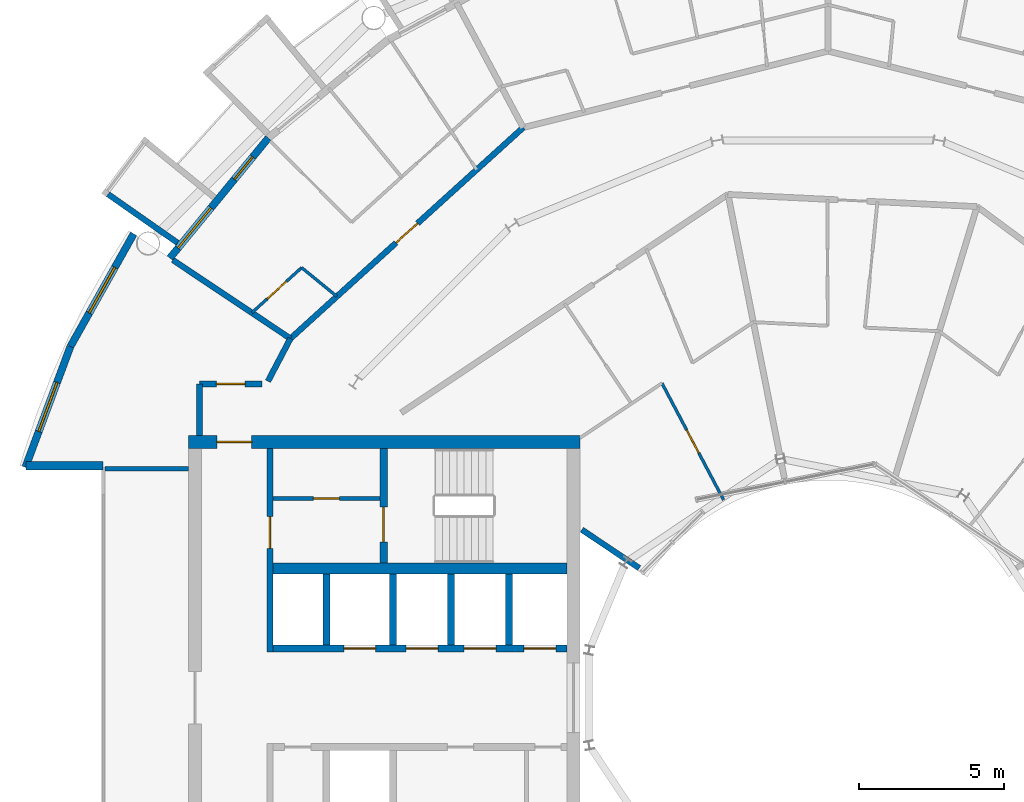
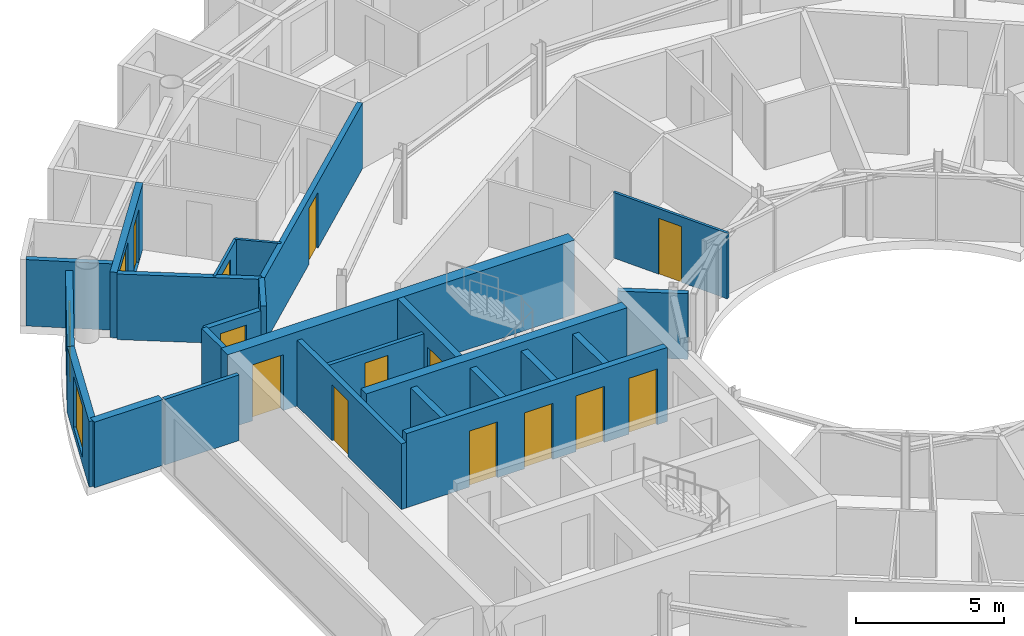
# One storey, part 20 of 29: 25 walls, 13 doors, 3 windows, 16 openings.
"""IFC4 building model written with IfcOpenShell, lengths in metres."""

from ifc_helpers import new_model, si_unit, direction, frame, frame_2d, origin, place, context, subcontext, project, spatial, rectangle, extrude, material, layer, layer_set, type_object, element, fill, save


model = new_model("IFC4")

# Units and contexts
model_context = context("Model", 3, precision=1e-05, world=origin(), true_north=direction((0.0, 1.0)))
body_context = subcontext(model_context, "Body", "Model", "MODEL_VIEW")
ifc_project = project(units=[si_unit("LENGTHUNIT", "METRE"), si_unit("AREAUNIT", "SQUARE_METRE"), si_unit("VOLUMEUNIT", "CUBIC_METRE"), si_unit("PLANEANGLEUNIT", "RADIAN"), si_unit("MASSUNIT", "GRAM", prefix="KILO")], contexts=[model_context])

# Site, building, storey
site_placement = place(None, origin())
site = spatial("IfcSite", under=ifc_project, at=site_placement, CompositionType="ELEMENT")
building_placement = place(site_placement, origin())
building = spatial("IfcBuilding", under=site, at=building_placement, Name="Maasbend Ring Residences", CompositionType="ELEMENT")
storey_placement = place(building_placement, frame((0.0, 0.0, 193.25)))
storey = spatial("IfcBuildingStorey", under=building, at=storey_placement, Name="L55", CompositionType="ELEMENT", Elevation=193.25)

# Wall, openings, doors
ifc_material_1 = material(Name="Concrete C50/60", Category="concrete")
ifc_layer_1 = layer(ifc_material_1, 0.25)
ifc_layer_set_1 = layer_set([ifc_layer_1], Name="Concrete C50/60")
wall_type_1 = type_object("IfcWallType", Name="CORE WALL 250 C50/60", PredefinedType="SHEAR", material=ifc_layer_set_1)
wall_1_placement = place(storey_placement, frame((-9.0, 1.699951171875, 0.0), z_axis=(0.0, 0.0, 1.0), x_axis=(-1.0, 0.0, 0.0)))
wall_1 = element("IfcWall", 1, at=wall_1_placement, inside=storey, type_object=wall_type_1, Name="L55 core W wall SPS", PredefinedType="SHEAR", context=body_context, shape_type="SweptSolid", body=[
    extrude(rectangle(XDim=10.14990234375, YDim=0.25, at=frame_2d((5.074951171875, 0.0))), origin(), (0.0, 0.0, 1.0), 3.050048828125),
])
opening_1_placement = place(wall_1_placement, frame((0.387451171875, 0.0, 0.0)))
opening_1 = element("IfcOpeningElement", 2, at=opening_1_placement, cuts=wall_1, Name="Opening LD-W5502", PredefinedType="OPENING", context=body_context, shape_type="SweptSolid", body=[
    extrude(rectangle(XDim=1.10009765625, YDim=2.300048828125, at=frame_2d((0.550048828125, 1.14990234375))), frame((0.0, 0.135009765625, 0.0), z_axis=(0.0, -1.0, 0.0), x_axis=(1.0, 0.0, 0.0)), (0.0, 0.0, 1.0), 0.27001953125),
])
opening_2_placement = place(wall_1_placement, frame((2.449951171875, 0.0, 0.0)))
opening_2 = element("IfcOpeningElement", 3, at=opening_2_placement, cuts=wall_1, Name="Opening LD-W5503", PredefinedType="OPENING", context=body_context, shape_type="SweptSolid", body=[
    extrude(rectangle(XDim=1.10009765625, YDim=2.300048828125, at=frame_2d((0.550048828125, 1.14990234375))), frame((0.0, 0.135009765625, 0.0), z_axis=(0.0, -1.0, 0.0), x_axis=(1.0, 0.0, 0.0)), (0.0, 0.0, 1.0), 0.27001953125),
])
opening_3_placement = place(wall_1_placement, frame((4.449951171875, 0.0, 0.0)))
opening_3 = element("IfcOpeningElement", 4, at=opening_3_placement, cuts=wall_1, Name="Opening LD-W5504", PredefinedType="OPENING", context=body_context, shape_type="SweptSolid", body=[
    extrude(rectangle(XDim=1.10009765625, YDim=2.300048828125, at=frame_2d((0.550048828125, 1.14990234375))), frame((0.0, 0.135009765625, 0.0), z_axis=(0.0, -1.0, 0.0), x_axis=(1.0, 0.0, 0.0)), (0.0, 0.0, 1.0), 0.27001953125),
])
opening_4_placement = place(wall_1_placement, frame((6.60009765625, 0.0, 0.0)))
opening_4 = element("IfcOpeningElement", 5, at=opening_4_placement, cuts=wall_1, Name="Opening LD-W5505", PredefinedType="OPENING", context=body_context, shape_type="SweptSolid", body=[
    extrude(rectangle(XDim=1.10009765625, YDim=2.300048828125, at=frame_2d((0.550048828125, 1.14990234375))), frame((0.0, 0.135009765625, 0.0), z_axis=(0.0, -1.0, 0.0), x_axis=(1.0, 0.0, 0.0)), (0.0, 0.0, 1.0), 0.27001953125),
])
ifc_material_2 = material(Name="Stainless steel 316", Category="steel")
door_type_1 = type_object("IfcDoorType", Name="LANDING DOOR 1100 X 2300 FD60", OperationType="DOUBLE_DOOR_SLIDING", PredefinedType="DOOR", material=ifc_material_2)
door_1_placement = place(opening_1_placement, origin())
door_1 = element("IfcDoor", 6, at=door_1_placement, inside=storey, type_object=door_type_1, Name="Landing door HR-W1 L55", OperationType="DOUBLE_DOOR_SLIDING", OverallHeight=2.300048828125, OverallWidth=1.10009765625, PredefinedType="DOOR", context=body_context, shape_type="SweptSolid", body=[
    extrude(rectangle(XDim=1.10009765625, YDim=2.300048828125, at=frame_2d((0.550048828125, 1.14990234375))), frame((0.0, 0.02490234375, 0.0), z_axis=(0.0, -1.0, 0.0), x_axis=(1.0, 0.0, 0.0)), (0.0, 0.0, 1.0), 0.050048828125),
])
fill(opening_1, door_1)
door_2_placement = place(opening_2_placement, origin())
door_2 = element("IfcDoor", 7, at=door_2_placement, inside=storey, type_object=door_type_1, Name="Landing door HR-W2 L55", OperationType="DOUBLE_DOOR_SLIDING", OverallHeight=2.300048828125, OverallWidth=1.10009765625, PredefinedType="DOOR", context=body_context, shape_type="SweptSolid", body=[
    extrude(rectangle(XDim=1.10009765625, YDim=2.300048828125, at=frame_2d((0.550048828125, 1.14990234375))), frame((0.0, 0.02490234375, 0.0), z_axis=(0.0, -1.0, 0.0), x_axis=(1.0, 0.0, 0.0)), (0.0, 0.0, 1.0), 0.050048828125),
])
fill(opening_2, door_2)
door_3_placement = place(opening_3_placement, origin())
door_3 = element("IfcDoor", 8, at=door_3_placement, inside=storey, type_object=door_type_1, Name="Landing door HR-W3 L55", OperationType="DOUBLE_DOOR_SLIDING", OverallHeight=2.300048828125, OverallWidth=1.10009765625, PredefinedType="DOOR", context=body_context, shape_type="SweptSolid", body=[
    extrude(rectangle(XDim=1.10009765625, YDim=2.300048828125, at=frame_2d((0.550048828125, 1.14990234375))), frame((0.0, 0.02490234375, 0.0), z_axis=(0.0, -1.0, 0.0), x_axis=(1.0, 0.0, 0.0)), (0.0, 0.0, 1.0), 0.050048828125),
])
fill(opening_3, door_3)
door_4_placement = place(opening_4_placement, origin())
door_4 = element("IfcDoor", 9, at=door_4_placement, inside=storey, type_object=door_type_1, Name="Landing door SV-W L55", OperationType="DOUBLE_DOOR_SLIDING", OverallHeight=2.300048828125, OverallWidth=1.10009765625, PredefinedType="DOOR", context=body_context, shape_type="SweptSolid", body=[
    extrude(rectangle(XDim=1.10009765625, YDim=2.300048828125, at=frame_2d((0.550048828125, 1.14990234375))), frame((0.0, 0.02490234375, 0.0), z_axis=(0.0, -1.0, 0.0), x_axis=(1.0, 0.0, 0.0)), (0.0, 0.0, 1.0), 0.050048828125),
])
fill(opening_4, door_4)

# Wall, opening, door
wall_2_placement = place(storey_placement, frame((-15.324951171875, 8.60009765625, 0.0), z_axis=(0.0, 0.0, 1.0), x_axis=(0.0, -1.0, 0.0)))
wall_2 = element("IfcWall", 10, at=wall_2_placement, inside=storey, type_object=wall_type_1, Name="L55 core W wall STES", PredefinedType="SHEAR", context=body_context, shape_type="SweptSolid", body=[
    extrude(rectangle(XDim=3.9501953125, YDim=0.25, at=frame_2d((1.97509765625, 0.0))), origin(), (0.0, 0.0, 1.0), 3.050048828125),
])
opening_5_placement = place(wall_2_placement, frame((2.02490234375, 0.0, 0.0)))
opening_5 = element("IfcOpeningElement", 11, at=opening_5_placement, cuts=wall_2, Name="Opening D-W5511", PredefinedType="OPENING", context=body_context, shape_type="SweptSolid", body=[
    extrude(rectangle(XDim=1.199951171875, YDim=2.300048828125, at=frame_2d((0.60009765625, 1.14990234375))), frame((0.0, 0.135009765625, 0.0), z_axis=(0.0, -1.0, 0.0), x_axis=(1.0, 0.0, 0.0)), (0.0, 0.0, 1.0), 0.27001953125),
])
ifc_material_3 = material(Name="Steel, powder coated", Category="steel")
door_type_2 = type_object("IfcDoorType", Name="STAIR DOOR 1200 X 2300 FD60", OperationType="NOTDEFINED", PredefinedType="DOOR", material=ifc_material_3)
door_5_placement = place(opening_5_placement, origin())
door_5 = element("IfcDoor", 12, at=door_5_placement, inside=storey, type_object=door_type_2, Name="Stair door ST-W L55", OperationType="SINGLE_SWING_LEFT", OverallHeight=2.300048828125, OverallWidth=1.199951171875, PredefinedType="DOOR", context=body_context, shape_type="SweptSolid", body=[
    extrude(rectangle(XDim=1.199951171875, YDim=2.300048828125, at=frame_2d((0.60009765625, 1.14990234375))), frame((0.0, 0.02490234375, 0.0), z_axis=(0.0, -1.0, 0.0), x_axis=(1.0, 0.0, 0.0)), (0.0, 0.0, 1.0), 0.050048828125),
])
fill(opening_5, door_5)

# Wall
ifc_material_4 = material(Name="Concrete C50/60", Category="concrete")
ifc_layer_2 = layer(ifc_material_4, 0.375)
ifc_layer_set_2 = layer_set([ifc_layer_2], Name="Concrete C50/60")
wall_type_2 = type_object("IfcWallType", Name="CORE WALL 375 C50/60", PredefinedType="SHEAR", material=ifc_layer_set_2)
wall_3_placement = place(storey_placement, frame((-9.0, 4.46240234375, 0.0), z_axis=(0.0, 0.0, 1.0), x_axis=(-1.0, 0.0, 0.0)))
element("IfcWall", 13, at=wall_3_placement, inside=storey, type_object=wall_type_2, Name="L55 core W wall BS", PredefinedType="SHEAR", context=body_context, shape_type="SweptSolid", body=[
    extrude(rectangle(XDim=10.14990234375, YDim=0.375, at=frame_2d((5.074951171875, 0.0))), origin(), (0.0, 0.0, 1.0), 3.050048828125),
])

# Wall, opening, door
ifc_material_5 = material(Name="Concrete C50/60", Category="concrete")
ifc_layer_3 = layer(ifc_material_5, 0.449951171875)
ifc_layer_set_3 = layer_set([ifc_layer_3], Name="Concrete C50/60")
wall_type_3 = type_object("IfcWallType", Name="CORE WALL 450 C50/60", PredefinedType="SHEAR", material=ifc_layer_set_3)
wall_4_placement = place(storey_placement, frame((-8.550048828125, 8.824951171875, 0.0), z_axis=(0.0, 0.0, 1.0), x_axis=(-1.0, 0.0, 0.0)))
wall_4 = element("IfcWall", 14, at=wall_4_placement, inside=storey, type_object=wall_type_3, Name="L55 core W wall PS", PredefinedType="SHEAR", context=body_context, shape_type="SweptSolid", body=[
    extrude(rectangle(XDim=13.5, YDim=0.449951171875, at=frame_2d((6.75, 0.0))), origin(), (0.0, 0.0, 1.0), 3.050048828125),
])
opening_6_placement = place(wall_4_placement, frame((11.324951171875, 0.0, 0.0)))
opening_6 = element("IfcOpeningElement", 15, at=opening_6_placement, cuts=wall_4, Name="Opening D-W5515", PredefinedType="OPENING", context=body_context, shape_type="SweptSolid", body=[
    extrude(rectangle(XDim=1.199951171875, YDim=2.300048828125, at=frame_2d((0.60009765625, 1.14990234375))), frame((0.0, 0.23486328125, 0.0), z_axis=(0.0, -1.0, 0.0), x_axis=(1.0, 0.0, 0.0)), (0.0, 0.0, 1.0), 0.469970703125),
])
ifc_material_6 = material(Name="Steel, powder coated", Category="steel")
door_type_3 = type_object("IfcDoorType", Name="CORRIDOR DOOR 1200 X 2300 FD30S", OperationType="NOTDEFINED", PredefinedType="DOOR", material=ifc_material_6)
door_6_placement = place(opening_6_placement, origin())
door_6 = element("IfcDoor", 16, at=door_6_placement, inside=storey, type_object=door_type_3, Name="Corridor door L55", OperationType="SINGLE_SWING_LEFT", OverallHeight=2.300048828125, OverallWidth=1.199951171875, PredefinedType="DOOR", context=body_context, shape_type="SweptSolid", body=[
    extrude(rectangle(XDim=1.199951171875, YDim=2.300048828125, at=frame_2d((0.60009765625, 1.14990234375))), frame((0.0, 0.02490234375, 0.0), z_axis=(0.0, -1.0, 0.0), x_axis=(1.0, 0.0, 0.0)), (0.0, 0.0, 1.0), 0.050048828125),
])
fill(opening_6, door_6)

ifc_material_7 = material(Name="Concrete C30/37", Category="concrete")
ifc_layer_4 = layer(ifc_material_7, 0.199951171875)
ifc_layer_set_4 = layer_set([ifc_layer_4], Name="Concrete C30/37")
wall_type_4 = type_object("IfcWallType", Name="CORRIDOR WALL 200 CONCRETE", PredefinedType="PARTITIONING", material=ifc_layer_set_4)
wall_5_placement = place(storey_placement, frame((-21.675048828125, 10.824951171875, 0.0), z_axis=(0.0, 0.0, 1.0), x_axis=(1.0, 0.0, 0.0)))
wall_5 = element("IfcWall", 17, at=wall_5_placement, inside=storey, type_object=wall_type_4, Name="U-L55-w093", PredefinedType="PARTITIONING", context=body_context, shape_type="SweptSolid", body=[
    extrude(rectangle(XDim=2.152099609375, YDim=0.199951171875, at=frame_2d((1.076171875, 0.0))), origin(), (0.0, 0.0, 1.0), 2.699951171875),
])
opening_7_placement = place(wall_5_placement, frame((0.575927734375, 0.0, 0.0)))
opening_7 = element("IfcOpeningElement", 18, at=opening_7_placement, cuts=wall_5, Name="Opening D-5572", PredefinedType="OPENING", context=body_context, shape_type="SweptSolid", body=[
    extrude(rectangle(XDim=1.0, YDim=2.300048828125, at=frame_2d((0.5, 1.14990234375))), frame((0.0, 0.10986328125, 0.0), z_axis=(0.0, -1.0, 0.0), x_axis=(1.0, 0.0, 0.0)), (0.0, 0.0, 1.0), 0.219970703125),
])
ifc_material_8 = material(Name="Timber, painted", Category="wood")
door_type_4 = type_object("IfcDoorType", Name="ROOM DOOR 1000 X 2300", OperationType="NOTDEFINED", PredefinedType="DOOR", material=ifc_material_8)
door_7_placement = place(opening_7_placement, origin())
door_7 = element("IfcDoor", 19, at=door_7_placement, inside=storey, type_object=door_type_4, Name="D-5572", OperationType="SINGLE_SWING_LEFT", OverallHeight=2.300048828125, OverallWidth=1.0, PredefinedType="DOOR", context=body_context, shape_type="SweptSolid", body=[
    extrude(rectangle(XDim=1.0, YDim=2.300048828125, at=frame_2d((0.5, 1.14990234375))), frame((0.0, 0.02490234375, 0.0), z_axis=(0.0, -1.0, 0.0), x_axis=(1.0, 0.0, 0.0)), (0.0, 0.0, 1.0), 0.050048828125),
])
fill(opening_7, door_7)

wall_6_placement = place(storey_placement, frame((-18.54296875, 12.385986328125, 0.0), z_axis=(0.0, 0.0, 1.0), x_axis=(0.740853508928, 0.671666642248, 0.0)))
wall_6 = element("IfcWall", 20, at=wall_6_placement, inside=storey, type_object=wall_type_4, Name="U-L55-w104", PredefinedType="PARTITIONING", context=body_context, shape_type="SweptSolid", body=[
    extrude(rectangle(XDim=10.840087890625, YDim=0.199951171875, at=frame_2d((5.419921875, 0.0))), origin(), (0.0, 0.0, 1.0), 2.699951171875),
])
opening_8_placement = place(wall_6_placement, frame((4.9208984375, 0.0, 0.0)))
opening_8 = element("IfcOpeningElement", 21, at=opening_8_placement, cuts=wall_6, Name="Opening D-5519", PredefinedType="OPENING", context=body_context, shape_type="SweptSolid", body=[
    extrude(rectangle(XDim=1.0, YDim=2.300048828125, at=frame_2d((0.5, 1.14990234375))), frame((0.0, 0.10986328125, 0.0), z_axis=(0.0, -1.0, 0.0), x_axis=(1.0, 0.0, 0.0)), (0.0, 0.0, 1.0), 0.219970703125),
])
ifc_material_9 = material(Name="Timber, fire-rated, painted", Category="wood")
door_type_5 = type_object("IfcDoorType", Name="FLAT ENTRANCE DOOR 1000 X 2300 FIRE-RATED", OperationType="NOTDEFINED", PredefinedType="DOOR", material=ifc_material_9)
door_8_placement = place(opening_8_placement, origin())
door_8 = element("IfcDoor", 22, at=door_8_placement, inside=storey, type_object=door_type_5, Name="D-5519", OperationType="SINGLE_SWING_RIGHT", OverallHeight=2.300048828125, OverallWidth=1.0, PredefinedType="DOOR", context=body_context, shape_type="SweptSolid", body=[
    extrude(rectangle(XDim=1.0, YDim=2.300048828125, at=frame_2d((0.5, 1.14990234375))), frame((0.0, 0.02490234375, 0.0), z_axis=(0.0, -1.0, 0.0), x_axis=(1.0, 0.0, 0.0)), (0.0, 0.0, 1.0), 0.050048828125),
])
fill(opening_8, door_8)

# Walls
wall_7_placement = place(storey_placement, frame((-21.675048828125, 9.050048828125, 0.0), z_axis=(0.0, 0.0, 1.0), x_axis=(0.0, 1.0, 0.0)))
element("IfcWall", 23, at=wall_7_placement, inside=storey, type_object=wall_type_4, Name="U-L55-w109", PredefinedType="PARTITIONING", context=body_context, shape_type="SweptSolid", body=[
    extrude(rectangle(XDim=1.77490234375, YDim=0.199951171875, at=frame_2d((0.887451171875, 0.0))), origin(), (0.0, 0.0, 1.0), 2.699951171875),
])
wall_8_placement = place(storey_placement, frame((-19.31689453125, 10.9150390625, 0.0), z_axis=(0.0, 0.0, 1.0), x_axis=(0.465359652486, 0.885121683068, 0.0)))
element("IfcWall", 24, at=wall_8_placement, inside=storey, type_object=wall_type_4, Name="U-L55-w110", PredefinedType="PARTITIONING", context=body_context, shape_type="SweptSolid", body=[
    extrude(rectangle(XDim=1.665283203125, YDim=0.199951171875, at=frame_2d((0.83251953125, 0.0))), origin(), (0.0, 0.0, 1.0), 2.699951171875),
])
ifc_material_10 = material(Name="Pale anodised aluminium panel", Category="aluminium")
ifc_layer_5 = layer(ifc_material_10, 0.199951171875)
ifc_layer_set_5 = layer_set([ifc_layer_5], Name="EW-BOX")
wall_type_5 = type_object("IfcWallType", Name="EW-BOX", PredefinedType="SOLIDWALL", material=ifc_layer_set_5)
wall_9_placement = place(storey_placement, frame((-22.43310546875, 15.68798828125, -0.030029296875), z_axis=(0.0, 0.0, 1.0), x_axis=(-0.819373043115, 0.573260687834, 0.0)))
element("IfcWall", 25, at=wall_9_placement, inside=storey, type_object=wall_type_5, Name="Box side wall N20 right", PredefinedType="SOLIDWALL", context=body_context, shape_type="SweptSolid", body=[
    extrude(rectangle(XDim=2.92529296875, YDim=0.199951171875, at=frame_2d((1.462646484375, 0.0))), origin(), (0.0, 0.0, 1.0), 2.72998046875),
])

# Wall, openings, door, window
ifc_material_11 = material(Name="Aluminium clad insulated panel", Category="aluminium")
ifc_layer_6 = layer(ifc_material_11, 0.25)
ifc_layer_set_6 = layer_set([ifc_layer_6], Name="EW-GL")
wall_type_6 = type_object("IfcWallType", Name="EW-GL", PredefinedType="SOLIDWALL", material=ifc_layer_set_6)
wall_10_placement = place(storey_placement, frame((-19.303955078125, 19.303955078125, 0.0), z_axis=(0.0, 0.0, 1.0), x_axis=(-0.634382322723, -0.773019449054, 0.0)))
wall_10 = element("IfcWall", 26, at=wall_10_placement, inside=storey, type_object=wall_type_6, Name="External wall N10", PredefinedType="SOLIDWALL", context=body_context, shape_type="SweptSolid", body=[
    extrude(rectangle(XDim=5.351806640625, YDim=0.25, at=frame_2d((2.67578125, 0.0))), origin(), (0.0, 0.0, 1.0), 2.699951171875),
])
opening_9_placement = place(wall_10_placement, frame((0.841064453125, 0.0, 0.0)))
opening_9 = element("IfcOpeningElement", 27, at=opening_9_placement, cuts=wall_10, Name="Opening D-LG", PredefinedType="OPENING", context=body_context, shape_type="SweptSolid", body=[
    extrude(rectangle(XDim=1.0, YDim=2.199951171875, at=frame_2d((0.5, 1.10009765625))), frame((0.0, 0.135009765625, 0.0), z_axis=(0.0, -1.0, 0.0), x_axis=(1.0, 0.0, 0.0)), (0.0, 0.0, 1.0), 0.27001953125),
])
opening_10_placement = place(wall_10_placement, frame((3.110595703125, 0.0, 0.300048828125)))
opening_10 = element("IfcOpeningElement", 28, at=opening_10_placement, cuts=wall_10, Name="Opening W-BX", PredefinedType="OPENING", context=body_context, shape_type="SweptSolid", body=[
    extrude(rectangle(XDim=1.800048828125, YDim=2.10009765625, at=frame_2d((0.89990234375, 1.050048828125))), frame((0.0, 0.135009765625, 0.0), z_axis=(0.0, -1.0, 0.0), x_axis=(1.0, 0.0, 0.0)), (0.0, 0.0, 1.0), 0.27001953125),
])
ifc_material_12 = material(Name="Aluminium and clear glass", Category="aluminium")
door_type_6 = type_object("IfcDoorType", Name="D-LG", OperationType="SINGLE_SWING_LEFT", PredefinedType="DOOR", material=ifc_material_12)
door_9_placement = place(opening_9_placement, origin())
door_9 = element("IfcDoor", 29, at=door_9_placement, inside=storey, type_object=door_type_6, Name="Loggia door N19", OperationType="SINGLE_SWING_LEFT", OverallHeight=2.199951171875, OverallWidth=1.0, PredefinedType="DOOR", context=body_context, shape_type="SweptSolid", body=[
    extrude(rectangle(XDim=1.0, YDim=2.199951171875, at=frame_2d((0.5, 1.10009765625))), frame((0.0, 0.02490234375, 0.0), z_axis=(0.0, -1.0, 0.0), x_axis=(1.0, 0.0, 0.0)), (0.0, 0.0, 1.0), 0.050048828125),
])
fill(opening_9, door_9)
ifc_material_13 = material(Name="Aluminium and clear glass", Category="aluminium")
window_type = type_object("IfcWindowType", Name="W-BX", PartitioningType="DOUBLE_PANEL_VERTICAL", PredefinedType="WINDOW", material=ifc_material_13)
window_1_placement = place(opening_10_placement, origin())
window_1 = element("IfcWindow", 30, at=window_1_placement, inside=storey, type_object=window_type, Name="Window N20 room to box", OverallHeight=2.10009765625, OverallWidth=1.800048828125, PartitioningType="SINGLE_PANEL", PredefinedType="WINDOW", context=body_context, shape_type="SweptSolid", body=[
    extrude(rectangle(XDim=1.800048828125, YDim=2.10009765625, at=frame_2d((0.89990234375, 1.050048828125))), frame((0.0, 0.030029296875, 0.0), z_axis=(0.0, -1.0, 0.0), x_axis=(1.0, 0.0, 0.0)), (0.0, 0.0, 1.0), 0.06005859375),
])
fill(opening_10, window_1)

# Wall, opening, window
ifc_material_14 = material(Name="Aluminium clad insulated panel", Category="aluminium")
ifc_layer_7 = layer(ifc_material_14, 0.25)
ifc_layer_set_7 = layer_set([ifc_layer_7], Name="EW-HORN")
wall_type_7 = type_object("IfcWallType", Name="EW-HORN", PredefinedType="SOLIDWALL", material=ifc_layer_set_7)
wall_11_placement = place(storey_placement, frame((-23.946044921875, 16.0, 0.0), z_axis=(0.0, 0.0, 1.0), x_axis=(-0.489696356642, -0.871893042919, 0.0)))
wall_11 = element("IfcWall", 31, at=wall_11_placement, inside=storey, type_object=wall_type_7, Name="Horn wall 4.1", PredefinedType="SOLIDWALL", context=body_context, shape_type="SweptSolid", body=[
    extrude(rectangle(XDim=4.45361328125, YDim=0.25, at=frame_2d((2.226806640625, 0.0))), origin(), (0.0, 0.0, 1.0), 2.699951171875),
])
opening_11_placement = place(wall_11_placement, frame((1.32666015625, 0.0, 0.300048828125)))
opening_11 = element("IfcOpeningElement", 32, at=opening_11_placement, cuts=wall_11, Name="Opening W-BX", PredefinedType="OPENING", context=body_context, shape_type="SweptSolid", body=[
    extrude(rectangle(XDim=1.800048828125, YDim=2.10009765625, at=frame_2d((0.89990234375, 1.050048828125))), frame((0.0, 0.135009765625, 0.0), z_axis=(0.0, -1.0, 0.0), x_axis=(1.0, 0.0, 0.0)), (0.0, 0.0, 1.0), 0.27001953125),
])
window_2_placement = place(opening_11_placement, origin())
window_2 = element("IfcWindow", 33, at=window_2_placement, inside=storey, type_object=window_type, Name="Horn window 4.1", OverallHeight=2.10009765625, OverallWidth=1.800048828125, PartitioningType="SINGLE_PANEL", PredefinedType="WINDOW", context=body_context, shape_type="SweptSolid", body=[
    extrude(rectangle(XDim=1.800048828125, YDim=2.10009765625, at=frame_2d((0.89990234375, 1.050048828125))), frame((0.0, 0.030029296875, 0.0), z_axis=(0.0, -1.0, 0.0), x_axis=(1.0, 0.0, 0.0)), (0.0, 0.0, 1.0), 0.06005859375),
])
fill(opening_11, window_2)

wall_12_placement = place(storey_placement, frame((-26.126953125, 12.116943359375, 0.0), z_axis=(0.0, 0.0, 1.0), x_axis=(-0.349247811493, -0.937030397675, 0.0)))
wall_12 = element("IfcWall", 34, at=wall_12_placement, inside=storey, type_object=wall_type_7, Name="Horn wall 4.2", PredefinedType="SOLIDWALL", context=body_context, shape_type="SweptSolid", body=[
    extrude(rectangle(XDim=4.4521484375, YDim=0.25, at=frame_2d((2.22607421875, 0.0))), origin(), (0.0, 0.0, 1.0), 2.699951171875),
])
opening_12_placement = place(wall_12_placement, frame((1.32666015625, 0.0, 0.300048828125)))
opening_12 = element("IfcOpeningElement", 35, at=opening_12_placement, cuts=wall_12, Name="Opening W-BX", PredefinedType="OPENING", context=body_context, shape_type="SweptSolid", body=[
    extrude(rectangle(XDim=1.800048828125, YDim=2.10009765625, at=frame_2d((0.89990234375, 1.050048828125))), frame((0.0, 0.135009765625, 0.0), z_axis=(0.0, -1.0, 0.0), x_axis=(1.0, 0.0, 0.0)), (0.0, 0.0, 1.0), 0.27001953125),
])
window_3_placement = place(opening_12_placement, origin())
window_3 = element("IfcWindow", 36, at=window_3_placement, inside=storey, type_object=window_type, Name="Horn window 4.2", OverallHeight=2.10009765625, OverallWidth=1.800048828125, PartitioningType="SINGLE_PANEL", PredefinedType="WINDOW", context=body_context, shape_type="SweptSolid", body=[
    extrude(rectangle(XDim=1.800048828125, YDim=2.10009765625, at=frame_2d((0.89990234375, 1.050048828125))), frame((0.0, 0.030029296875, 0.0), z_axis=(0.0, -1.0, 0.0), x_axis=(1.0, 0.0, 0.0)), (0.0, 0.0, 1.0), 0.06005859375),
])
fill(opening_12, window_3)

# Walls
ifc_material_15 = material(Name="Aluminium clad insulated panel", Category="aluminium")
ifc_layer_8 = layer(ifc_material_15, 0.300048828125)
ifc_layer_set_8 = layer_set([ifc_layer_8], Name="EW-RET")
wall_type_8 = type_object("IfcWallType", Name="EW-RET", PredefinedType="SOLIDWALL", material=ifc_layer_set_8)
wall_13_placement = place(storey_placement, frame((-25.0, 8.0, 0.0), z_axis=(0.0, 0.0, 1.0), x_axis=(-1.0, 0.0, 0.0)))
element("IfcWall", 37, at=wall_13_placement, inside=storey, type_object=wall_type_8, Name="Notch return wall west north", PredefinedType="SOLIDWALL", context=body_context, shape_type="SweptSolid", body=[
    extrude(rectangle(XDim=2.6669921875, YDim=0.300048828125, at=frame_2d((1.33349609375, 0.0))), origin(), (0.0, 0.0, 1.0), 2.699951171875),
])
ifc_material_16 = material(Name="Gypsum board on steel studs", Category="steel")
ifc_layer_9 = layer(ifc_material_16, 0.10009765625)
ifc_layer_set_9 = layer_set([ifc_layer_9], Name="PARTITION 100 GYPSUM")
wall_type_9 = type_object("IfcWallType", Name="PARTITION 100 GYPSUM", PredefinedType="PARTITIONING", material=ifc_layer_set_9)
wall_14_placement = place(storey_placement, frame((-18.154052734375, 14.833984375, 0.0), z_axis=(0.0, 0.0, 1.0), x_axis=(0.774345345452, -0.632763214779, 0.0)))
element("IfcWall", 38, at=wall_14_placement, inside=storey, type_object=wall_type_9, Name="U-L55-w037", PredefinedType="PARTITIONING", context=body_context, shape_type="SweptSolid", body=[
    extrude(rectangle(XDim=1.569091796875, YDim=0.10009765625, at=frame_2d((0.78466796875, 0.0))), origin(), (0.0, 0.0, 1.0), 2.699951171875),
])

# Wall, opening, door
wall_15_placement = place(storey_placement, frame((-5.72900390625, 10.84912109375, 0.0), z_axis=(0.0, 0.0, 1.0), x_axis=(0.466962677975, -0.884277025246, 0.0)))
wall_15 = element("IfcWall", 39, at=wall_15_placement, inside=storey, type_object=wall_type_9, Name="U-L55-w052", PredefinedType="PARTITIONING", context=body_context, shape_type="SweptSolid", body=[
    extrude(rectangle(XDim=4.548583984375, YDim=0.10009765625, at=frame_2d((2.2744140625, 0.0))), origin(), (0.0, 0.0, 1.0), 2.699951171875),
])
opening_13_placement = place(wall_15_placement, frame((1.823974609375, 0.0, 0.0)))
opening_13 = element("IfcOpeningElement", 40, at=opening_13_placement, cuts=wall_15, Name="Opening D-5535", PredefinedType="OPENING", context=body_context, shape_type="SweptSolid", body=[
    extrude(rectangle(XDim=0.89990234375, YDim=2.300048828125, at=frame_2d((0.449951171875, 1.14990234375))), frame((0.0, 0.06005859375, 0.0), z_axis=(0.0, -1.0, 0.0), x_axis=(1.0, 0.0, 0.0)), (0.0, 0.0, 1.0), 0.1201171875),
])
ifc_material_17 = material(Name="Timber, painted", Category="wood")
door_type_7 = type_object("IfcDoorType", Name="INTERNAL DOOR 900 X 2300", OperationType="NOTDEFINED", PredefinedType="DOOR", material=ifc_material_17)
door_10_placement = place(opening_13_placement, origin())
door_10 = element("IfcDoor", 41, at=door_10_placement, inside=storey, type_object=door_type_7, Name="D-5535", OperationType="SINGLE_SWING_RIGHT", OverallHeight=2.300048828125, OverallWidth=0.89990234375, PredefinedType="DOOR", context=body_context, shape_type="SweptSolid", body=[
    extrude(rectangle(XDim=0.89990234375, YDim=2.300048828125, at=frame_2d((0.449951171875, 1.14990234375))), frame((0.0, 0.02490234375, 0.0), z_axis=(0.0, -1.0, 0.0), x_axis=(1.0, 0.0, 0.0)), (0.0, 0.0, 1.0), 0.050048828125),
])
fill(opening_13, door_10)

wall_16_placement = place(storey_placement, frame((-19.8720703125, 13.278076171875, 0.0), z_axis=(0.0, 0.0, 1.0), x_axis=(0.740990220108, 0.671515817911, 0.0)))
wall_16 = element("IfcWall", 42, at=wall_16_placement, inside=storey, type_object=wall_type_9, Name="U-L55-w112", PredefinedType="PARTITIONING", context=body_context, shape_type="SweptSolid", body=[
    extrude(rectangle(XDim=2.32275390625, YDim=0.10009765625, at=frame_2d((1.161376953125, 0.0))), origin(), (0.0, 0.0, 1.0), 2.699951171875),
])
opening_14_placement = place(wall_16_placement, frame((0.7109375, 0.0, 0.0)))
opening_14 = element("IfcOpeningElement", 43, at=opening_14_placement, cuts=wall_16, Name="Opening D-5520", PredefinedType="OPENING", context=body_context, shape_type="SweptSolid", body=[
    extrude(rectangle(XDim=0.89990234375, YDim=2.300048828125, at=frame_2d((0.449951171875, 1.14990234375))), frame((0.0, 0.06005859375, 0.0), z_axis=(0.0, -1.0, 0.0), x_axis=(1.0, 0.0, 0.0)), (0.0, 0.0, 1.0), 0.1201171875),
])
door_11_placement = place(opening_14_placement, origin())
door_11 = element("IfcDoor", 44, at=door_11_placement, inside=storey, type_object=door_type_7, Name="D-5520", OperationType="SINGLE_SWING_LEFT", OverallHeight=2.300048828125, OverallWidth=0.89990234375, PredefinedType="DOOR", context=body_context, shape_type="SweptSolid", body=[
    extrude(rectangle(XDim=0.89990234375, YDim=2.300048828125, at=frame_2d((0.449951171875, 1.14990234375))), frame((0.0, 0.02490234375, 0.0), z_axis=(0.0, -1.0, 0.0), x_axis=(1.0, 0.0, 0.0)), (0.0, 0.0, 1.0), 0.050048828125),
])
fill(opening_14, door_11)

ifc_material_18 = material(Name="Gypsum board on steel studs", Category="steel")
ifc_layer_10 = layer(ifc_material_18, 0.14990234375)
ifc_layer_set_10 = layer_set([ifc_layer_10], Name="PARTITION 150 EI 60")
wall_type_10 = type_object("IfcWallType", Name="PARTITION 150 EI 60", PredefinedType="PARTITIONING", material=ifc_layer_set_10)
wall_17_placement = place(storey_placement, frame((-15.449951171875, 6.875, 0.0), z_axis=(0.0, 0.0, 1.0), x_axis=(-1.0, 0.0, 0.0)))
wall_17 = element("IfcWall", 45, at=wall_17_placement, inside=storey, type_object=wall_type_10, Name="L55 core W wall RHS", PredefinedType="PARTITIONING", context=body_context, shape_type="SweptSolid", body=[
    extrude(rectangle(XDim=3.699951171875, YDim=0.14990234375, at=frame_2d((1.85009765625, 0.0))), origin(), (0.0, 0.0, 1.0), 2.699951171875),
])
opening_15_placement = place(wall_17_placement, frame((1.39990234375, 0.0, 0.0)))
opening_15 = element("IfcOpeningElement", 46, at=opening_15_placement, cuts=wall_17, Name="Opening D-W5509", PredefinedType="OPENING", context=body_context, shape_type="SweptSolid", body=[
    extrude(rectangle(XDim=0.89990234375, YDim=2.300048828125, at=frame_2d((0.449951171875, 1.14990234375))), frame((0.0, 0.0849609375, 0.0), z_axis=(0.0, -1.0, 0.0), x_axis=(1.0, 0.0, 0.0)), (0.0, 0.0, 1.0), 0.169921875),
])
ifc_material_19 = material(Name="Steel, powder coated", Category="steel")
door_type_8 = type_object("IfcDoorType", Name="RISER DOOR 900 X 2300 FD60", OperationType="NOTDEFINED", PredefinedType="DOOR", material=ifc_material_19)
door_12_placement = place(opening_15_placement, origin())
door_12 = element("IfcDoor", 47, at=door_12_placement, inside=storey, type_object=door_type_8, Name="Riser door L55", OperationType="SINGLE_SWING_LEFT", OverallHeight=2.300048828125, OverallWidth=0.89990234375, PredefinedType="DOOR", context=body_context, shape_type="SweptSolid", body=[
    extrude(rectangle(XDim=0.89990234375, YDim=2.300048828125, at=frame_2d((0.449951171875, 1.14990234375))), frame((0.0, 0.02490234375, 0.0), z_axis=(0.0, -1.0, 0.0), x_axis=(1.0, 0.0, 0.0)), (0.0, 0.0, 1.0), 0.050048828125),
])
fill(opening_15, door_12)

# Walls
wall_18_placement = place(storey_placement, frame((-22.050048828125, 7.89990234375, 0.0), z_axis=(0.0, 0.0, 1.0), x_axis=(-1.0, 0.0, 0.0)))
element("IfcWall", 48, at=wall_18_placement, inside=storey, type_object=wall_type_10, Name="L55 core W wall CITS", PredefinedType="PARTITIONING", context=body_context, shape_type="SweptSolid", body=[
    extrude(rectangle(XDim=2.889892578125, YDim=0.14990234375, at=frame_2d((1.44482421875, 0.0))), origin(), (0.0, 0.0, 1.0), 2.699951171875),
])
ifc_material_20 = material(Name="Concrete C30/37", Category="concrete")
ifc_layer_11 = layer(ifc_material_20, 0.199951171875)
ifc_layer_set_11 = layer_set([ifc_layer_11], Name="Concrete C30/37")
wall_type_11 = type_object("IfcWallType", Name="PARTY WALL 200 CONCRETE", PredefinedType="PARTITIONING", material=ifc_layer_set_11)
wall_19_placement = place(storey_placement, frame((-22.594970703125, 15.097900390625, 0.0), z_axis=(0.0, 0.0, 1.0), x_axis=(0.831387096605, -0.55569370664, 0.0)))
element("IfcWall", 49, at=wall_19_placement, inside=storey, type_object=wall_type_11, Name="U-L55-w033", PredefinedType="PARTITIONING", context=body_context, shape_type="SweptSolid", body=[
    extrude(rectangle(XDim=4.875, YDim=0.199951171875, at=frame_2d((2.4375, 0.0))), origin(), (0.0, 0.0, 1.0), 2.699951171875),
])
wall_20_placement = place(storey_placement, frame((-6.512939453125, 4.471923828125, 0.0), z_axis=(0.0, 0.0, 1.0), x_axis=(-0.831403409976, 0.555669299026, 0.0)))
element("IfcWall", 50, at=wall_20_placement, inside=storey, type_object=wall_type_11, Name="U-L55-w091", PredefinedType="PARTITIONING", context=body_context, shape_type="SweptSolid", body=[
    extrude(rectangle(XDim=2.382568359375, YDim=0.199951171875, at=frame_2d((1.19140625, 0.0))), origin(), (0.0, 0.0, 1.0), 2.699951171875),
])

# Wall, opening, door
ifc_material_21 = material(Name="Concrete C30/37", Category="concrete")
ifc_layer_12 = layer(ifc_material_21, 0.199951171875)
ifc_layer_set_12 = layer_set([ifc_layer_12], Name="Concrete C30/37")
wall_type_12 = type_object("IfcWallType", Name="SHAFT WALL 200 EI 120", PredefinedType="SOLIDWALL", material=ifc_layer_set_12)
wall_21_placement = place(storey_placement, frame((-19.25, 8.60009765625, 0.0), z_axis=(0.0, 0.0, 1.0), x_axis=(0.0, -1.0, 0.0)))
wall_21 = element("IfcWall", 51, at=wall_21_placement, inside=storey, type_object=wall_type_12, Name="L55 core W wall ENDS", PredefinedType="SOLIDWALL", context=body_context, shape_type="SweptSolid", body=[
    extrude(rectangle(XDim=7.025146484375, YDim=0.199951171875, at=frame_2d((3.5126953125, 0.0))), origin(), (0.0, 0.0, 1.0), 2.699951171875),
])
opening_16_placement = place(wall_21_placement, frame((2.35009765625, 0.0, 0.0)))
opening_16 = element("IfcOpeningElement", 52, at=opening_16_placement, cuts=wall_21, Name="Opening D-W5513", PredefinedType="OPENING", context=body_context, shape_type="SweptSolid", body=[
    extrude(rectangle(XDim=1.10009765625, YDim=2.300048828125, at=frame_2d((0.550048828125, 1.14990234375))), frame((0.0, 0.10986328125, 0.0), z_axis=(0.0, -1.0, 0.0), x_axis=(1.0, 0.0, 0.0)), (0.0, 0.0, 1.0), 0.219970703125),
])
ifc_material_22 = material(Name="Steel, powder coated", Category="steel")
door_type_9 = type_object("IfcDoorType", Name="LOBBY DOOR 1100 X 2300 FD60", OperationType="NOTDEFINED", PredefinedType="DOOR", material=ifc_material_22)
door_13_placement = place(opening_16_placement, origin())
door_13 = element("IfcDoor", 53, at=door_13_placement, inside=storey, type_object=door_type_9, Name="Lobby door L55", OperationType="SINGLE_SWING_RIGHT", OverallHeight=2.300048828125, OverallWidth=1.10009765625, PredefinedType="DOOR", context=body_context, shape_type="SweptSolid", body=[
    extrude(rectangle(XDim=1.10009765625, YDim=2.300048828125, at=frame_2d((0.550048828125, 1.14990234375))), frame((0.0, 0.02490234375, 0.0), z_axis=(0.0, -1.0, 0.0), x_axis=(1.0, 0.0, 0.0)), (0.0, 0.0, 1.0), 0.050048828125),
])
fill(opening_16, door_13)

# Walls
ifc_material_23 = material(Name="Concrete C30/37", Category="concrete")
ifc_layer_13 = layer(ifc_material_23, 0.25)
ifc_layer_set_13 = layer_set([ifc_layer_13], Name="Concrete C30/37")
wall_type_13 = type_object("IfcWallType", Name="SHAFT WALL 250 EI 120", PredefinedType="SOLIDWALL", material=ifc_layer_set_13)
for number, where, z_axis, x_axis, name in (
    (54, (-15.0, 1.824951171875, 0.0), (0.0, 0.0, 1.0), (0.0, 1.0, 0.0), "L55 core W wall D150S"),
    (55, (-17.300048828125, 1.824951171875, 0.0), (0.0, 0.0, 1.0), (0.0, 1.0, 0.0), "L55 core W wall D173S"),
    (56, (-11.0, 1.824951171875, 0.0), (0.0, 0.0, 1.0), (0.0, 1.0, 0.0), "L55 core W wall D110S"),
    (57, (-13.0, 1.824951171875, 0.0), (0.0, 0.0, 1.0), (0.0, 1.0, 0.0), "L55 core W wall D130S"),
):
    element("IfcWall", number, at=place(storey_placement, frame(where, z_axis=z_axis, x_axis=x_axis)), inside=storey, type_object=wall_type_13, Name=name, PredefinedType="SOLIDWALL", context=body_context, shape_type="SweptSolid", body=[
        extrude(rectangle(XDim=2.449951171875, YDim=0.25, at=frame_2d((1.22509765625, 0.0))), origin(), (0.0, 0.0, 1.0), 2.699951171875),
    ])

save(model, "model.ifc")
